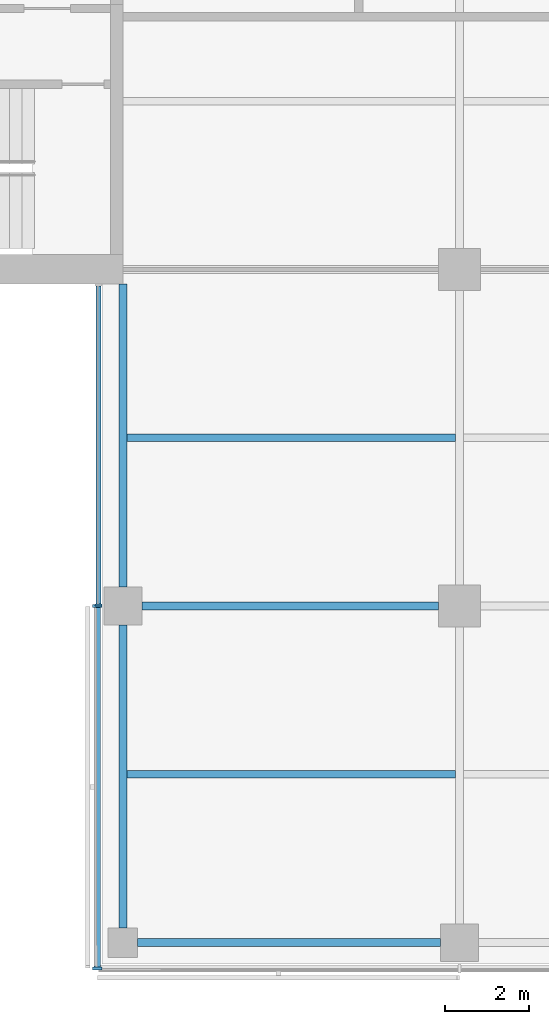
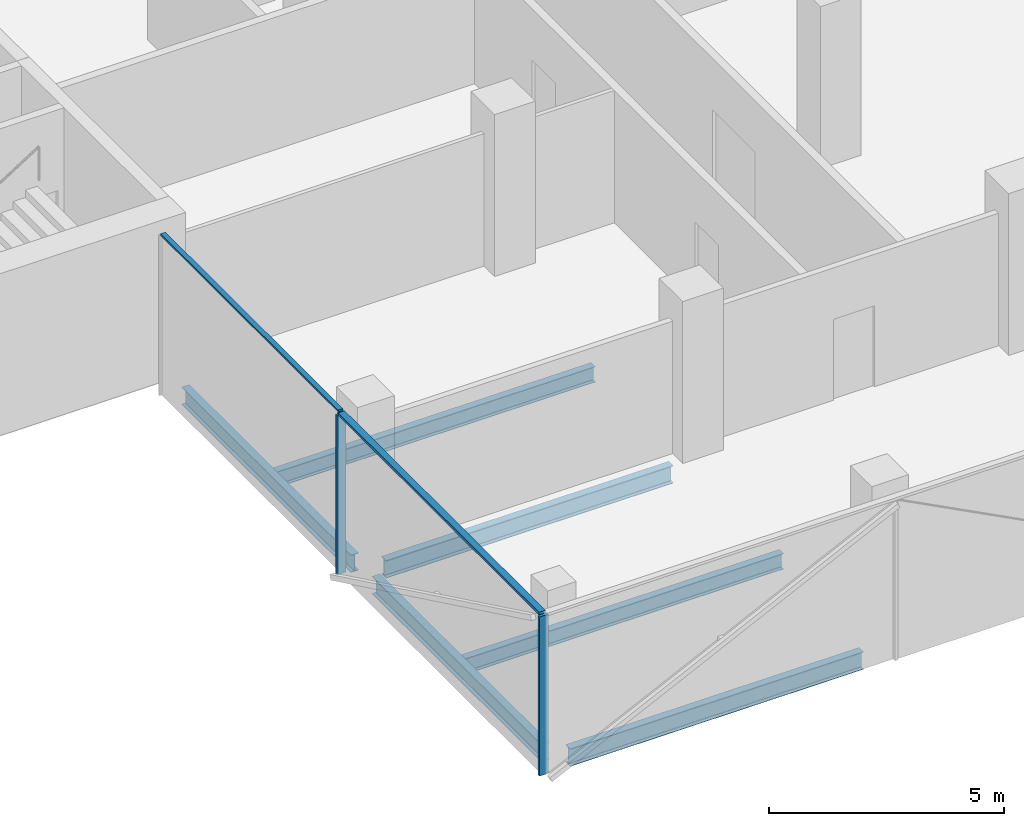
# One storey, part 2 of 22: 6 beams, 5 members, 2 elements without a shape of their own.
"""IFC4 building model written with IfcOpenShell, lengths in metres."""

from ifc_helpers import new_model, si_unit, direction, frame, origin, origin_2d, place, context, subcontext, project, spatial, rectangle, i_section, extrude, material, material_profile, profile_set, type_object, element, aggregate, save


model = new_model("IFC4")

# Units and contexts
model_context = context("Model", 3, precision=1e-05, world=origin(), true_north=direction((0.0, 1.0)))
body_context = subcontext(model_context, "Body", "Model", "MODEL_VIEW")
ifc_project = project(units=[si_unit("LENGTHUNIT", "METRE"), si_unit("AREAUNIT", "SQUARE_METRE"), si_unit("VOLUMEUNIT", "CUBIC_METRE"), si_unit("PLANEANGLEUNIT", "RADIAN"), si_unit("MASSUNIT", "GRAM", prefix="KILO")], contexts=[model_context])

# Site, building, storey
site_placement = place(None, origin())
site = spatial("IfcSite", under=ifc_project, at=site_placement, CompositionType="ELEMENT")
building_placement = place(site_placement, origin())
building = spatial("IfcBuilding", under=site, at=building_placement, Name="Crosswind Convention Tower", CompositionType="ELEMENT")
storey_placement = place(building_placement, frame((0.0, 0.0, 150.5)))
storey = spatial("IfcBuildingStorey", under=building, at=storey_placement, Name="L31", CompositionType="ELEMENT", Elevation=150.5)

# Beams
ifc_material_1 = material(Name="Steel S355", Category="steel")
ifc_material_profile_1 = material_profile(ifc_material_1, i_section(OverallWidth=0.18994140625, OverallDepth=0.45361328125, WebThickness=0.008544921875, FlangeThickness=0.0126953125, FilletRadius=0.01025390625, at=origin_2d()), Name="UB 457x191x67")
ifc_profile_set_1 = profile_set([ifc_material_profile_1], Name="Steel S355")
beam_type_1 = type_object("IfcBeamType", Name="Edge beam UB 457x191x67", PredefinedType="SPANDREL", material=ifc_profile_set_1)
for number, where, z_axis, x_axis, name in (
    (1, (113.0, 72.35009765625, -0.52685546875), (0.0, 1.0, 0.0), (-1.0, 0.0, 0.0), "B16 L31 edge beam 6"),
    (2, (113.0, 80.449951171875, -0.52685546875), (0.0, 1.0, 0.0), (-1.0, 0.0, 0.0), "B16 L31 edge beam 7"),
    (3, (113.35009765625, 72.0, -0.52685546875), (1.0, 0.0, 0.0), (0.0, 1.0, 0.0), "B16 L31 edge beam 10"),
):
    element("IfcBeam", number, at=place(storey_placement, frame(where, z_axis=z_axis, x_axis=x_axis)), inside=storey, type_object=beam_type_1, Name=name, PredefinedType="SPANDREL", context=body_context, shape_type="SweptSolid", body=[
        extrude(i_section(OverallWidth=0.18994140625, OverallDepth=0.45361328125, WebThickness=0.008544921875, FlangeThickness=0.0126953125, FilletRadius=0.01025390625, at=origin_2d()), origin(), (0.0, 0.0, 1.0), 7.199951171875),
    ])
ifc_material_profile_2 = material_profile(ifc_material_1, i_section(OverallWidth=0.19140625, OverallDepth=0.460205078125, WebThickness=0.010009765625, FlangeThickness=0.01611328125, FilletRadius=0.01025390625, at=origin_2d()), Name="UB 457x191x82")
ifc_profile_set_2 = profile_set([ifc_material_profile_2], Name="Steel S355")
beam_type_2 = type_object("IfcBeamType", Name="Girder UB 457x191x82", PredefinedType="BEAM", material=ifc_profile_set_2)
beam_placement = place(storey_placement, frame((113.449951171875, 80.0, -0.530029296875), z_axis=(1.0, 0.0, 0.0), x_axis=(0.0, 1.0, 0.0)))
element("IfcBeam", 4, at=beam_placement, inside=storey, type_object=beam_type_2, Name="B3 L31 girder 1", PredefinedType="BEAM", context=body_context, shape_type="SweptSolid", body=[
    extrude(i_section(OverallWidth=0.19140625, OverallDepth=0.460205078125, WebThickness=0.010009765625, FlangeThickness=0.01611328125, FilletRadius=0.01025390625, at=origin_2d()), origin(), (0.0, 0.0, 1.0), 7.050048828125),
])

# Curtain wall, member
ifc_material_2 = material(Name="Aluminium unitised curtain wall", Category="aluminium")
curtain_wall_type_1 = type_object("IfcCurtainWallType", Name="CORE END SLOT WALL 160", PredefinedType="USERDEFINED", material=ifc_material_2)
curtain_wall_1_placement = place(storey_placement, origin())
curtain_wall_1 = element("IfcCurtainWall", 5, at=curtain_wall_1_placement, inside=storey, type_object=curtain_wall_type_1, Name="CW6 L31 S-W.1-1 slot", ObjectType="UNITISED", PredefinedType="USERDEFINED")
ifc_material_3 = material(Name="Aluminium mullion", Category="aluminium")
ifc_material_profile_3 = material_profile(ifc_material_3, rectangle(XDim=0.159912109375, YDim=0.050048828125, at=origin_2d()), Name="AL 160X50")
ifc_profile_set_3 = profile_set([ifc_material_profile_3], Name="Aluminium mullion")
member_type_1 = type_object("IfcMemberType", Name="MULLION 50X160", PredefinedType="MULLION", material=ifc_profile_set_3)
member_1_placement = place(storey_placement, frame((112.419921875, 80.02490234375, -0.300048828125), z_axis=(0.0, 0.0, 1.0), x_axis=(-1.0, 0.0, 0.0)))
member_1 = element("IfcMember", 6, at=member_1_placement, type_object=member_type_1, Name="CW6 mullion 2", PredefinedType="MULLION", context=body_context, shape_type="SweptSolid", body=[
    extrude(rectangle(XDim=0.159912109375, YDim=0.050048828125, at=origin_2d()), origin(), (0.0, 0.0, 1.0), 4.150146484375),
])

# Curtain wall, members
curtain_wall_type_2 = type_object("IfcCurtainWallType", Name="OFFICE UNITISED WALL 220", PredefinedType="USERDEFINED", material=ifc_material_2)
curtain_wall_2_placement = place(storey_placement, origin())
curtain_wall_2 = element("IfcCurtainWall", 7, at=curtain_wall_2_placement, inside=storey, type_object=curtain_wall_type_2, Name="CW3 L31 S-W 1", ObjectType="UNITISED", PredefinedType="USERDEFINED")
ifc_material_profile_4 = material_profile(ifc_material_3, rectangle(XDim=0.219970703125, YDim=0.070068359375, at=origin_2d()), Name="AL 220X70")
ifc_profile_set_4 = profile_set([ifc_material_profile_4], Name="Aluminium mullion")
member_type_2 = type_object("IfcMemberType", Name="MULLION 70X220", PredefinedType="MULLION", material=ifc_profile_set_4)
member_2_placement = place(storey_placement, frame((112.389892578125, 80.0, -0.300048828125), z_axis=(0.0, 0.0, 1.0), x_axis=(-1.0, 0.0, 0.0)))
member_2 = element("IfcMember", 8, at=member_2_placement, type_object=member_type_2, Name="CW3 mullion 1", PredefinedType="MULLION", context=body_context, shape_type="SweptSolid", body=[
    extrude(rectangle(XDim=0.219970703125, YDim=0.070068359375, at=origin_2d()), origin(), (0.0, 0.0, 1.0), 4.130126953125),
])
member_3_placement = place(storey_placement, frame((112.389892578125, 71.389892578125, -0.300048828125), z_axis=(0.0, 0.0, 1.0), x_axis=(-1.0, 0.0, 0.0)))
member_3 = element("IfcMember", 9, at=member_3_placement, type_object=member_type_2, Name="CW3 mullion 2", PredefinedType="MULLION", context=body_context, shape_type="SweptSolid", body=[
    extrude(rectangle(XDim=0.219970703125, YDim=0.070068359375, at=origin_2d()), origin(), (0.0, 0.0, 1.0), 4.130126953125),
])

# Beams
ifc_material_profile_5 = material_profile(ifc_material_1, i_section(OverallWidth=0.177734375, OverallDepth=0.406494140625, WebThickness=0.0078125, FlangeThickness=0.0126953125, FilletRadius=0.01025390625, at=origin_2d()), Name="UB 406x178x60")
ifc_profile_set_5 = profile_set([ifc_material_profile_5], Name="Steel S355")
beam_type_3 = type_object("IfcBeamType", Name="Secondary beam UB 406x178x60", PredefinedType="JOIST", material=ifc_profile_set_5)
for number, where, z_axis, x_axis, name in (
    (10, (113.094970703125, 76.0, -0.503173828125), (1.0, 0.0, 0.0), (0.0, 1.0, 0.0), "B10 L31 secondary beam 7"),
    (11, (113.094970703125, 84.0, -0.503173828125), (1.0, 0.0, 0.0), (0.0, 1.0, 0.0), "B10 L31 secondary beam 8"),
):
    element("IfcBeam", number, at=place(storey_placement, frame(where, z_axis=z_axis, x_axis=x_axis)), inside=storey, type_object=beam_type_3, Name=name, PredefinedType="JOIST", context=body_context, shape_type="SweptSolid", body=[
        extrude(i_section(OverallWidth=0.177734375, OverallDepth=0.406494140625, WebThickness=0.0078125, FlangeThickness=0.0126953125, FilletRadius=0.01025390625, at=origin_2d()), origin(), (0.0, 0.0, 1.0), 7.809326171875),
    ])

# Member
ifc_material_4 = material(Name="Aluminium transom", Category="aluminium")
ifc_material_profile_6 = material_profile(ifc_material_4, rectangle(XDim=0.1201171875, YDim=0.050048828125, at=origin_2d()), Name="AL 120X50")
ifc_profile_set_6 = profile_set([ifc_material_profile_6], Name="Aluminium transom")
member_type_3 = type_object("IfcMemberType", Name="TRANSOM 50X120", PredefinedType="USERDEFINED", material=ifc_profile_set_6)
member_4_placement = place(storey_placement, frame((112.419921875, 87.60009765625, 3.875), z_axis=(0.0, -1.0, 0.0), x_axis=(1.0, 0.0, 0.0)))
member_4 = element("IfcMember", 12, at=member_4_placement, type_object=member_type_3, Name="CW6 transom", ObjectType="TRANSOM", PredefinedType="USERDEFINED", context=body_context, shape_type="SweptSolid", body=[
    extrude(rectangle(XDim=0.1201171875, YDim=0.050048828125, at=origin_2d()), origin(), (0.0, 0.0, 1.0), 7.550048828125),
])

aggregate(curtain_wall_1, [member_1, member_4])

ifc_material_profile_7 = material_profile(ifc_material_4, rectangle(XDim=0.159912109375, YDim=0.070068359375, at=origin_2d()), Name="AL 160X70")
ifc_profile_set_7 = profile_set([ifc_material_profile_7], Name="Aluminium transom")
member_type_4 = type_object("IfcMemberType", Name="TRANSOM 70X160", PredefinedType="USERDEFINED", material=ifc_profile_set_7)
member_5_placement = place(storey_placement, frame((112.389892578125, 79.965087890625, 3.864990234375), z_axis=(0.0, -1.0, 0.0), x_axis=(1.0, 0.0, 0.0)))
member_5 = element("IfcMember", 13, at=member_5_placement, type_object=member_type_4, Name="CW3 transom", ObjectType="TRANSOM", PredefinedType="USERDEFINED", context=body_context, shape_type="SweptSolid", body=[
    extrude(rectangle(XDim=0.159912109375, YDim=0.070068359375, at=origin_2d()), origin(), (0.0, 0.0, 1.0), 8.5400390625),
])

aggregate(curtain_wall_2, [member_2, member_3, member_5])

save(model, "model.ifc")
